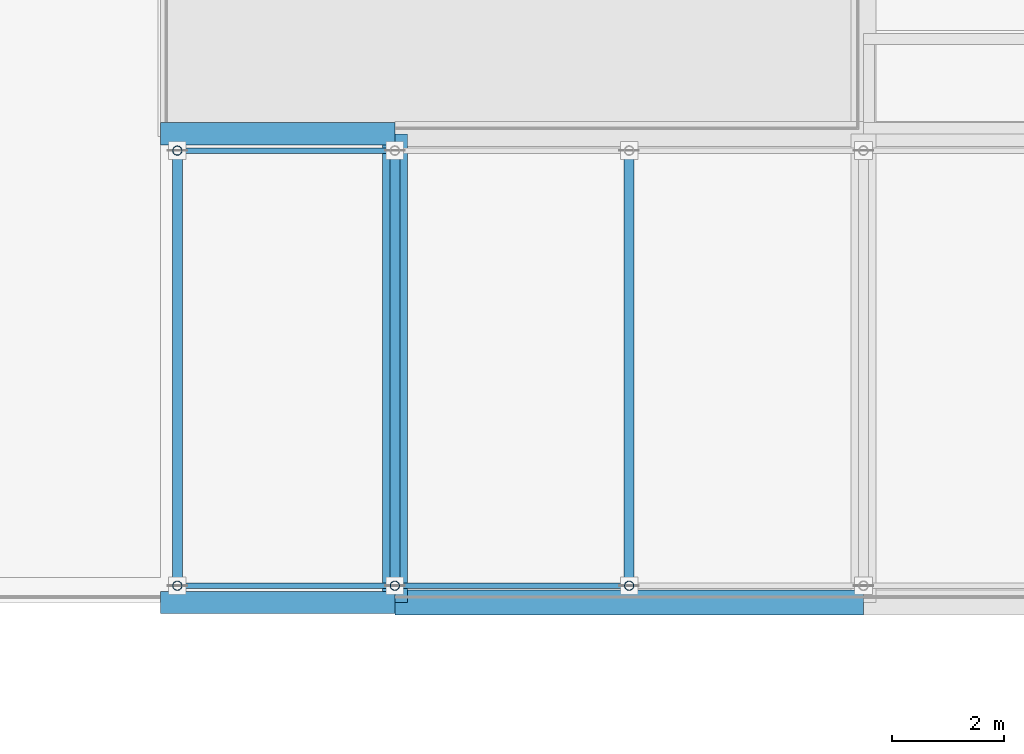
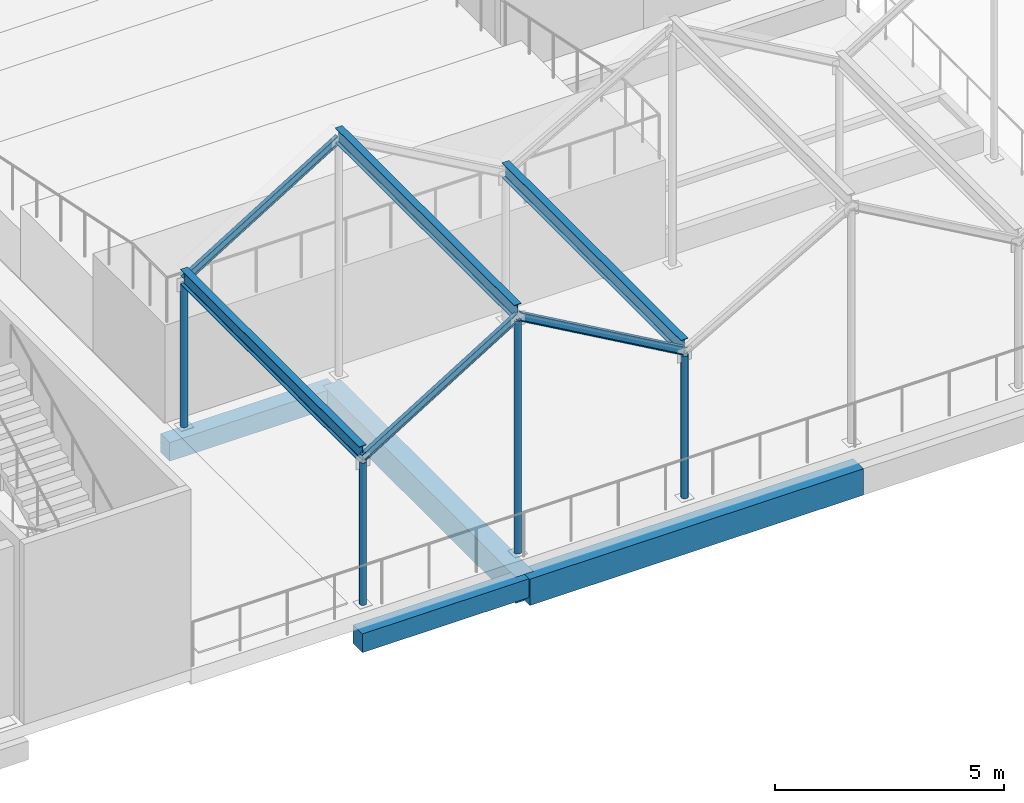
# One storey, part 6 of 67: 10 beams, 4 members.
"""IFC4 building model written with IfcOpenShell, lengths in metres."""

import ifcopenshell
import ifcopenshell.guid

model = None  # the IFC model being written
_history = None  # IfcOwnerHistory: only IFC2X3 demands one
_inside = {}  # id of a spatial element -> (the spatial element, [elements in it])
_under = {}  # id of a project, library or spatial element -> (it, [spatial elements below it])
_declared = {}  # id of a project -> (the project, [libraries it declares])
_typed = {}  # id of a type object -> (the type object, [elements of that type])
_made_of = {}  # id of a material, layer set ... -> (it, [elements and type objects made of it])


def new_model(schema):
    """Start an empty IFC model of exactly this schema.

    Asked for "IFC4X3", IfcOpenShell would pick the latest addendum, in which some entities
    have other attributes; the version numbers below select the first issue.
    IFC2X3 requires an IfcOwnerHistory on every rooted entity: one is made here for all.
    """
    global model, _history
    if schema == "IFC4X3":
        model = ifcopenshell.file(schema_version=(4, 3, 0, 0))
    else:
        model = ifcopenshell.file(schema=schema)
    _inside.clear()
    _under.clear()
    _declared.clear()
    _typed.clear()
    _made_of.clear()
    _history = None
    if model.schema == "IFC2X3":
        org = make("IfcOrganization", Name="unknown")
        user = make(
            "IfcPersonAndOrganization",
            ThePerson=make("IfcPerson", FamilyName="unknown"),
            TheOrganization=org,
        )
        app = make(
            "IfcApplication",
            ApplicationDeveloper=org,
            Version="unknown",
            ApplicationFullName="unknown",
            ApplicationIdentifier="unknown",
        )
        _history = make(
            "IfcOwnerHistory",
            OwningUser=user,
            OwningApplication=app,
            ChangeAction="ADDED",
            CreationDate=0,
        )
    return model


def make(cls, **values):
    """One entity of the class cls with the attributes given. An attribute that is None is left unset."""
    return model.create_entity(
        cls, **{name: value for name, value in values.items() if value is not None}
    )


def rooted(cls, **values):
    """An entity with a GlobalId (a new one), such as an element, a storey or a relation."""
    return make(cls, GlobalId=ifcopenshell.guid.new(), OwnerHistory=_history, **values)


def si_unit(unit_type, name, prefix=None):
    """IfcSIUnit, for example si_unit("LENGTHUNIT", "METRE", prefix="MILLI")."""
    return make("IfcSIUnit", UnitType=unit_type, Prefix=prefix, Name=name)


def assignment(units):
    """IfcUnitAssignment: the units of a project."""
    return None if units is None else make("IfcUnitAssignment", Units=units)


def point(xyz):
    """IfcCartesianPoint."""
    return None if xyz is None else make("IfcCartesianPoint", Coordinates=xyz)


def direction(xyz):
    """IfcDirection."""
    return None if xyz is None else make("IfcDirection", DirectionRatios=xyz)


def frame(location, z_axis=None, x_axis=None):
    """IfcAxis2Placement3D, a coordinate frame: its origin and axes. An axis left out is left unset."""
    return make(
        "IfcAxis2Placement3D",
        Location=point(location),
        Axis=direction(z_axis),
        RefDirection=direction(x_axis),
    )


def frame_2d(location, x_axis=None):
    """IfcAxis2Placement2D, a coordinate frame in the plane: its origin and x axis."""
    return make(
        "IfcAxis2Placement2D", Location=point(location), RefDirection=direction(x_axis)
    )


def origin():
    """The frame at (0, 0, 0) with its axes left unset."""
    return frame((0.0, 0.0, 0.0))


def origin_2d():
    """The frame at (0, 0) in the plane with its x axis left unset."""
    return frame_2d((0.0, 0.0))


def place(relative_to, where):
    """IfcLocalPlacement: puts the frame where relative to a parent placement (None: the world)."""
    return make(
        "IfcLocalPlacement", PlacementRelTo=relative_to, RelativePlacement=where
    )


def context(
    kind, dimensions, precision=None, world=None, true_north=None, identifier=None
):
    """IfcGeometricRepresentationContext, for example the 3D "Model" context."""
    return make(
        "IfcGeometricRepresentationContext",
        ContextIdentifier=identifier,
        ContextType=kind,
        CoordinateSpaceDimension=dimensions,
        Precision=precision,
        WorldCoordinateSystem=world,
        TrueNorth=true_north,
    )


def subcontext(parent, identifier, kind, view, scale=None):
    """IfcGeometricRepresentationSubContext, for example "Body" below "Model"."""
    return make(
        "IfcGeometricRepresentationSubContext",
        ContextIdentifier=identifier,
        ContextType=kind,
        ParentContext=parent,
        TargetScale=scale,
        TargetView=view,
    )


def project(units=None, contexts=None):
    """IfcProject with its units and contexts."""
    return rooted(
        "IfcProject",
        Name="project",
        RepresentationContexts=contexts,
        UnitsInContext=assignment(units),
    )


def spatial(cls, under=None, at=None, **own):
    """A site, building, storey or space (cls), placed at a placement, below another one or the project."""
    s = rooted(cls, ObjectPlacement=at, **own)
    if under is not None:
        _under.setdefault(under.id(), (under, []))[1].append(s)
    return s


def profile(cls, at=None, kind="AREA", **sizes):
    """A parametric profile (cls). Its sizes go by their IFC names, for example OverallWidth=200.0."""
    return make(cls, ProfileType=kind, Position=at, **sizes)


def rectangle(**sizes):
    """IfcRectangleProfileDef."""
    return profile("IfcRectangleProfileDef", **sizes)


def hollow_circle(**sizes):
    """IfcCircleHollowProfileDef."""
    return profile("IfcCircleHollowProfileDef", **sizes)


def i_section(**sizes):
    """IfcIShapeProfileDef."""
    return profile("IfcIShapeProfileDef", **sizes)


def extrude(swept, where, along, depth):
    """IfcExtrudedAreaSolid: the profile swept, set in the frame where, extruded along a direction by depth."""
    return make(
        "IfcExtrudedAreaSolid",
        SweptArea=swept,
        Position=where,
        ExtrudedDirection=direction(along),
        Depth=depth,
    )


def shape(context_of_items, identifier, shape_type, items):
    """IfcShapeRepresentation: the items that make up one representation, for example the "Body"."""
    return make(
        "IfcShapeRepresentation",
        ContextOfItems=context_of_items,
        RepresentationIdentifier=identifier,
        RepresentationType=shape_type,
        Items=items,
    )


def material(Name=None, Category=None):
    """IfcMaterial."""
    return make("IfcMaterial", Name=Name, Category=Category)


def material_profile(
    of_material, cross_section, Name=None, Category=None, Priority=None
):
    """IfcMaterialProfile: a cross section and its material."""
    return make(
        "IfcMaterialProfile",
        Name=Name,
        Material=of_material,
        Profile=cross_section,
        Priority=Priority,
        Category=Category,
    )


def profile_set(profiles, Name=None, composite=None):
    """IfcMaterialProfileSet."""
    return make(
        "IfcMaterialProfileSet",
        Name=Name,
        MaterialProfiles=profiles,
        CompositeProfile=composite,
    )


def made_of(thing, what):
    """Note that an element or type object is made of a material, layer set ...; save() writes the relation."""
    if what is not None:
        _made_of.setdefault(what.id(), (what, []))[1].append(thing)
    return thing


def type_object(cls, material=None, **own):
    """A type object (cls), such as IfcWallType, which elements share."""
    return made_of(rooted(cls, **own), material)


def element(
    cls,
    number,
    at=None,
    inside=None,
    cuts=None,
    type_object=None,
    material=None,
    context=None,
    identifier="Body",
    shape_type=None,
    held_by="IfcProductDefinitionShape",
    body=None,
    shapes=None,
    **own,
):
    """One element of the class cls, such as IfcWall. Its Tag is "e" and its number.

    at: its placement. inside: the storey or other place that contains it. cuts: it is an
    opening in that element (IfcRelVoidsElement). A single representation is given by context,
    identifier, shape_type and body (its items); several are given by shapes. held_by: the class
    of the entity that holds the representations. save() writes the other relations.
    """
    e = rooted(cls, Tag="e%d" % number, ObjectPlacement=at, **own)
    if body is not None:
        shapes = [shape(context, identifier, shape_type, body)]
    if shapes is not None:
        e.Representation = make(held_by, Representations=shapes)
    if inside is not None:
        _inside.setdefault(inside.id(), (inside, []))[1].append(e)
    if cuts is not None:
        rooted(
            "IfcRelVoidsElement", RelatingBuildingElement=cuts, RelatedOpeningElement=e
        )
    if type_object is not None:
        _typed.setdefault(type_object.id(), (type_object, []))[1].append(e)
    return made_of(e, material)


def aggregate(whole, parts):
    """IfcRelAggregates: a whole, such as a stair, and the parts it consists of."""
    return rooted("IfcRelAggregates", RelatingObject=whole, RelatedObjects=parts)


def save(model, path):
    """Write the relations noted so far, then the file.

    IfcRelAggregates (storeys below a building ...), IfcRelContainedInSpatialStructure (elements
    in a storey), IfcRelDefinesByType, IfcRelAssociatesMaterial and IfcRelDeclares: one each for
    every whole, place, type object, material and project.
    """
    for whole, parts in _under.values():
        aggregate(whole, parts)
    for where, things in _inside.values():
        rooted(
            "IfcRelContainedInSpatialStructure",
            RelatedElements=things,
            RelatingStructure=where,
        )
    for kind, things in _typed.values():
        rooted("IfcRelDefinesByType", RelatedObjects=things, RelatingType=kind)
    for what, things in _made_of.values():
        rooted("IfcRelAssociatesMaterial", RelatedObjects=things, RelatingMaterial=what)
    for by, libraries in _declared.values():
        rooted("IfcRelDeclares", RelatingContext=by, RelatedDefinitions=libraries)
    model.write(path)


model = new_model("IFC4")

# Units and contexts
model_context = context("Model", 3, precision=1e-05, world=origin(), true_north=direction((0.0, 1.0)))
body_context = subcontext(model_context, "Body", "Model", "MODEL_VIEW")
ifc_project = project(units=[si_unit("LENGTHUNIT", "METRE"), si_unit("AREAUNIT", "SQUARE_METRE"), si_unit("VOLUMEUNIT", "CUBIC_METRE"), si_unit("PLANEANGLEUNIT", "RADIAN"), si_unit("MASSUNIT", "GRAM", prefix="KILO")], contexts=[model_context])

# Site, building, storey
site_placement = place(None, origin())
site = spatial("IfcSite", under=ifc_project, at=site_placement, CompositionType="ELEMENT")
building_placement = place(site_placement, origin())
building = spatial("IfcBuilding", under=site, at=building_placement, Name="Kiln Court Media Centre", CompositionType="ELEMENT")
storey_placement = place(building_placement, frame((0.0, 0.0, 19.800048828125)))
storey = spatial("IfcBuildingStorey", under=building, at=storey_placement, Name="L04", CompositionType="ELEMENT", Elevation=19.800048828125)

# Beams
ifc_material_1 = material(Name="Concrete C30/37", Category="concrete")
ifc_material_profile_1 = material_profile(ifc_material_1, rectangle(XDim=0.39990234375, YDim=0.5, at=origin_2d()), Name="RC 400x500")
ifc_profile_set_1 = profile_set([ifc_material_profile_1], Name="Concrete C30/37")
beam_type_1 = type_object("IfcBeamType", Name="Concrete C30/37 beam 400x500", PredefinedType="BEAM", material=ifc_profile_set_1)
for number, where, z_axis, x_axis, name in (
    (1, (37.800048828125, 0.0, -0.650146484375), (1.0, 0.0, 0.0), (0.0, 1.0, 0.0), "L04-B-1046"),
    (2, (37.800048828125, 8.39990234375, -0.650146484375), (1.0, 0.0, 0.0), (0.0, 1.0, 0.0), "L04-B-1049"),
):
    element("IfcBeam", number, at=place(storey_placement, frame(where, z_axis=z_axis, x_axis=x_axis)), inside=storey, type_object=beam_type_1, Name=name, PredefinedType="BEAM", context=body_context, shape_type="SweptSolid", body=[
        extrude(rectangle(XDim=0.39990234375, YDim=0.5, at=origin_2d()), origin(), (0.0, 0.0, 1.0), 4.199951171875),
    ])
ifc_material_2 = material(Name="Concrete C30/37", Category="concrete")
ifc_material_profile_2 = material_profile(ifc_material_2, rectangle(XDim=0.449951171875, YDim=0.699951171875, at=origin_2d()), Name="RC 450x700")
ifc_profile_set_2 = profile_set([ifc_material_profile_2], Name="Concrete C30/37")
beam_type_2 = type_object("IfcBeamType", Name="Concrete C30/37 beam 450x700", PredefinedType="BEAM", material=ifc_profile_set_2)
for number, where, z_axis, x_axis, name in (
    (3, (42.0, 0.0, -0.75), (0.0, 1.0, 0.0), (-1.0, 0.0, 0.0), "L04-B-1040"),
    (4, (42.0, 0.0, -0.75), (1.0, 0.0, 0.0), (0.0, 1.0, 0.0), "L04-B-1047"),
):
    element("IfcBeam", number, at=place(storey_placement, frame(where, z_axis=z_axis, x_axis=x_axis)), inside=storey, type_object=beam_type_2, Name=name, PredefinedType="BEAM", context=body_context, shape_type="SweptSolid", body=[
        extrude(rectangle(XDim=0.449951171875, YDim=0.699951171875, at=origin_2d()), origin(), (0.0, 0.0, 1.0), 8.39990234375),
    ])

# Members
ifc_material_3 = material(Name="Steel ASTM A500 Gr C", Category="steel")
ifc_material_profile_3 = material_profile(ifc_material_3, hollow_circle(Radius=0.084228515625, WallThickness=0.00634765625, at=origin_2d()), Name="CHS 168.3x6.3")
ifc_profile_set_3 = profile_set([ifc_material_profile_3], Name="Steel ASTM A500 Gr C")
member_type = type_object("IfcMemberType", Name="Steel ASTM A500 Gr C CHS 168.3x6.3 pavilion roof column", PredefinedType="STRUT", material=ifc_profile_set_3)
for number, where, z_axis, x_axis, name in (
    (5, (38.10009765625, 0.300048828125, 0.008056640625), (0.0, 0.0, 1.0), (1.0, 0.0, 0.0), "pavilion roof column 1 pavilion roof column"),
    (6, (38.10009765625, 8.10009765625, 0.008056640625), (0.0, 0.0, 1.0), (1.0, 0.0, 0.0), "pavilion roof column 1 pavilion roof column"),
):
    element("IfcMember", number, at=place(storey_placement, frame(where, z_axis=z_axis, x_axis=x_axis)), inside=storey, type_object=member_type, Name=name, PredefinedType="STRUT", context=body_context, shape_type="SweptSolid", body=[
        extrude(hollow_circle(Radius=0.084228515625, WallThickness=0.00634765625, at=origin_2d()), origin(), (0.0, 0.0, 1.0), 3.7919921875),
    ])
member_1_placement = place(storey_placement, frame((42.0, 0.300048828125, 0.008056640625), z_axis=(0.0, 0.0, 1.0), x_axis=(1.0, 0.0, 0.0)))
element("IfcMember", 7, at=member_1_placement, inside=storey, type_object=member_type, Name="pavilion roof column 2 pavilion roof column", PredefinedType="STRUT", context=body_context, shape_type="SweptSolid", body=[
    extrude(hollow_circle(Radius=0.084228515625, WallThickness=0.00634765625, at=origin_2d()), origin(), (0.0, 0.0, 1.0), 6.19189453125),
])
member_2_placement = place(storey_placement, frame((46.199951171875, 0.300048828125, 0.008056640625), z_axis=(0.0, 0.0, 1.0), x_axis=(1.0, 0.0, 0.0)))
element("IfcMember", 8, at=member_2_placement, inside=storey, type_object=member_type, Name="pavilion roof column 3 pavilion roof column", PredefinedType="STRUT", context=body_context, shape_type="SweptSolid", body=[
    extrude(hollow_circle(Radius=0.084228515625, WallThickness=0.00634765625, at=origin_2d()), origin(), (0.0, 0.0, 1.0), 3.7919921875),
])

# Beams
ifc_material_4 = material(Name="Steel ASTM A572 Gr 50", Category="steel")
ifc_material_profile_4 = material_profile(ifc_material_4, i_section(OverallWidth=0.10009765625, OverallDepth=0.199951171875, WebThickness=0.005615234375, FlangeThickness=0.008544921875, FilletRadius=0.011962890625, at=origin_2d()), Name="IPE 200")
ifc_profile_set_4 = profile_set([ifc_material_profile_4], Name="Steel ASTM A572 Gr 50")
beam_type_3 = type_object("IfcBeamType", Name="Steel ASTM A572 Gr 50 IPE 200 pavilion roof beam", PredefinedType="BEAM", material=ifc_profile_set_4)
beam_1_placement = place(storey_placement, frame((38.10009765625, 0.300048828125, 3.89990234375), z_axis=(0.851638180308, 0.0, 0.5241301459), x_axis=(0.0, 1.0, 0.0)))
element("IfcBeam", 9, at=beam_1_placement, inside=storey, type_object=beam_type_3, Name="pavilion eaves tie pavilion roof beam", PredefinedType="BEAM", context=body_context, shape_type="SweptSolid", body=[
    extrude(i_section(OverallWidth=0.10009765625, OverallDepth=0.199951171875, WebThickness=0.005615234375, FlangeThickness=0.008544921875, FilletRadius=0.011962890625, at=origin_2d()), origin(), (0.0, 0.0, 1.0), 4.579345703125),
])
beam_2_placement = place(storey_placement, frame((42.0, 0.300048828125, 6.300048828125), z_axis=(0.868227612608, 0.0, -0.496166114024), x_axis=(0.0, 1.0, 0.0)))
element("IfcBeam", 10, at=beam_2_placement, inside=storey, type_object=beam_type_3, Name="pavilion eaves tie pavilion roof beam", PredefinedType="BEAM", context=body_context, shape_type="SweptSolid", body=[
    extrude(i_section(OverallWidth=0.10009765625, OverallDepth=0.199951171875, WebThickness=0.005615234375, FlangeThickness=0.008544921875, FilletRadius=0.011962890625, at=origin_2d()), origin(), (0.0, 0.0, 1.0), 4.83740234375),
])
beam_3_placement = place(storey_placement, frame((38.10009765625, 8.10009765625, 3.89990234375), z_axis=(0.851638180308, 0.0, 0.5241301459), x_axis=(0.0, 1.0, 0.0)))
element("IfcBeam", 11, at=beam_3_placement, inside=storey, type_object=beam_type_3, Name="pavilion eaves tie pavilion roof beam", PredefinedType="BEAM", context=body_context, shape_type="SweptSolid", body=[
    extrude(i_section(OverallWidth=0.10009765625, OverallDepth=0.199951171875, WebThickness=0.005615234375, FlangeThickness=0.008544921875, FilletRadius=0.011962890625, at=origin_2d()), origin(), (0.0, 0.0, 1.0), 4.579345703125),
])
ifc_material_5 = material(Name="Steel ASTM A572 Gr 50", Category="steel")
ifc_material_profile_5 = material_profile(ifc_material_5, i_section(OverallWidth=0.179931640625, OverallDepth=0.39990234375, WebThickness=0.008544921875, FlangeThickness=0.013427734375, FilletRadius=0.02099609375, at=origin_2d()), Name="IPE 400")
ifc_profile_set_5 = profile_set([ifc_material_profile_5], Name="Steel ASTM A572 Gr 50")
beam_type_4 = type_object("IfcBeamType", Name="Steel ASTM A572 Gr 50 IPE 400 pavilion roof beam", PredefinedType="BEAM", material=ifc_profile_set_5)
for number, where, z_axis, x_axis, name in (
    (12, (38.10009765625, 0.300048828125, 4.0), (0.0, 1.0, 0.0), (-1.0, 0.0, 0.0), "pavilion fold beam 1 pavilion roof beam"),
    (13, (42.0, 0.300048828125, 6.39990234375), (0.0, 1.0, 0.0), (-1.0, 0.0, 0.0), "pavilion fold beam 2 pavilion roof beam"),
    (14, (46.199951171875, 0.300048828125, 4.0), (0.0, 1.0, 0.0), (-1.0, 0.0, 0.0), "pavilion fold beam 3 pavilion roof beam"),
):
    element("IfcBeam", number, at=place(storey_placement, frame(where, z_axis=z_axis, x_axis=x_axis)), inside=storey, type_object=beam_type_4, Name=name, PredefinedType="BEAM", context=body_context, shape_type="SweptSolid", body=[
        extrude(i_section(OverallWidth=0.179931640625, OverallDepth=0.39990234375, WebThickness=0.008544921875, FlangeThickness=0.013427734375, FilletRadius=0.02099609375, at=origin_2d()), origin(), (0.0, 0.0, 1.0), 7.800048828125),
    ])

save(model, "model.ifc")
